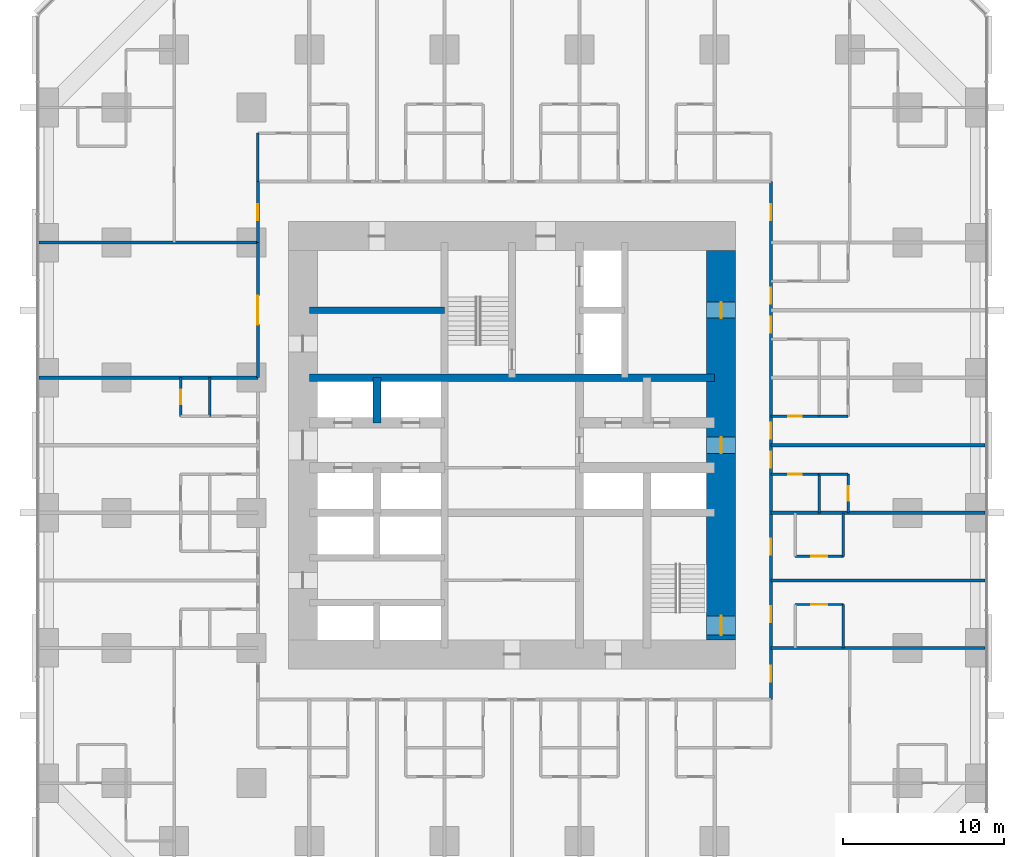
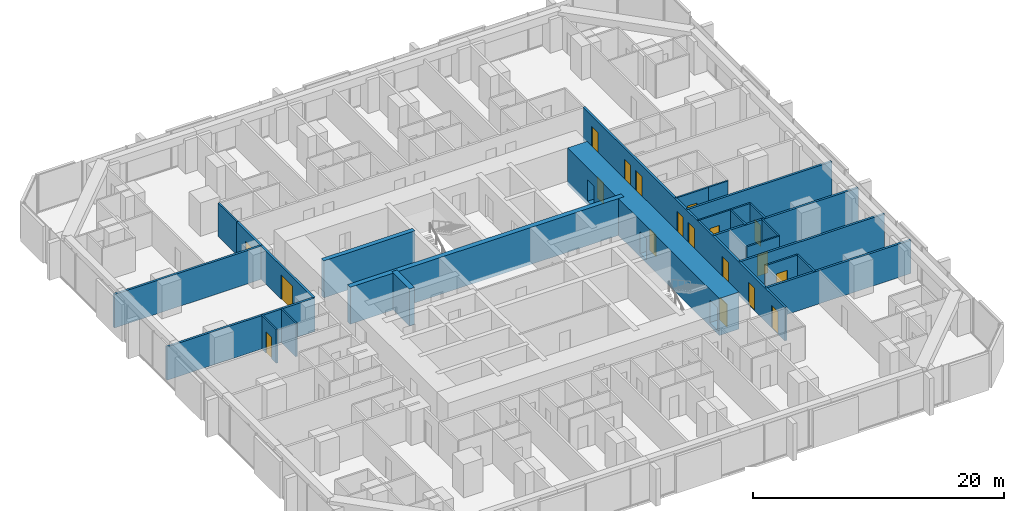
# One storey, part 14 of 18: 26 walls, 19 doors, 19 openings.
"""IFC4 building model written with IfcOpenShell, lengths in metres."""

from ifc_helpers import new_model, si_unit, direction, frame, frame_2d, origin, place, context, subcontext, project, spatial, rectangle, extrude, material, layer, layer_set, type_object, element, fill, save


model = new_model("IFC4")

# Units and contexts
model_context = context("Model", 3, precision=1e-05, world=origin(), true_north=direction((0.0, 1.0)))
body_context = subcontext(model_context, "Body", "Model", "MODEL_VIEW")
ifc_project = project(units=[si_unit("LENGTHUNIT", "METRE"), si_unit("AREAUNIT", "SQUARE_METRE"), si_unit("VOLUMEUNIT", "CUBIC_METRE"), si_unit("PLANEANGLEUNIT", "RADIAN"), si_unit("MASSUNIT", "GRAM", prefix="KILO")], contexts=[model_context])

# Site, building, storey
site_placement = place(None, origin())
site = spatial("IfcSite", under=ifc_project, at=site_placement, CompositionType="ELEMENT")
building_placement = place(site_placement, origin())
building = spatial("IfcBuilding", under=site, at=building_placement, Name="Dunama Terrace Hotel", CompositionType="ELEMENT")
storey_placement = place(building_placement, frame((0.0, 0.0, 30.60009765625)))
storey = spatial("IfcBuildingStorey", under=building, at=storey_placement, Name="L06", CompositionType="ELEMENT", Elevation=30.60009765625)

# Walls
ifc_material_1 = material(Name="Gypsum board partition", Category="masonry")
ifc_layer_1 = layer(ifc_material_1, 0.14990234375)
ifc_layer_set_1 = layer_set([ifc_layer_1], Name="Bathroom partition 150")
wall_type_1 = type_object("IfcWallType", Name="Bathroom partition 150", PredefinedType="PARTITIONING", material=ifc_layer_set_1)
wall_1_placement = place(storey_placement, frame((13.60009765625, 45.800048828125, 0.0), z_axis=(0.0, 0.0, 1.0), x_axis=(0.0, 1.0, 0.0)))
element("IfcWall", 1, at=wall_1_placement, inside=storey, type_object=wall_type_1, Name="Bathroom partition 150 L06", PredefinedType="PARTITIONING", context=body_context, shape_type="SweptSolid", body=[
    extrude(rectangle(XDim=3.0, YDim=0.14990234375, at=frame_2d((1.5, 0.0))), origin(), (0.0, 0.0, 1.0), 3.25),
])
for number, where, z_axis, x_axis, name in (
    (2, (50.0, 16.800048828125, 0.0), (0.0, 0.0, 1.0), (0.0, 1.0, 0.0), "Bathroom partition 150 L06"),
    (3, (50.0, 22.5, 0.0), (0.0, 0.0, 1.0), (0.0, 1.0, 0.0), "Bathroom partition 150 L06"),
):
    element("IfcWall", number, at=place(storey_placement, frame(where, z_axis=z_axis, x_axis=x_axis)), inside=storey, type_object=wall_type_1, Name=name, PredefinedType="PARTITIONING", context=body_context, shape_type="SweptSolid", body=[
        extrude(rectangle(XDim=2.699951171875, YDim=0.14990234375, at=frame_2d((1.35009765625, 0.0))), origin(), (0.0, 0.0, 1.0), 3.25),
    ])

# Wall, opening, door
wall_2_placement = place(storey_placement, frame((47.0, 19.5, 0.0), z_axis=(0.0, 0.0, 1.0), x_axis=(1.0, 0.0, 0.0)))
wall_2 = element("IfcWall", 4, at=wall_2_placement, inside=storey, type_object=wall_type_1, Name="Bathroom partition 150 L06", PredefinedType="PARTITIONING", context=body_context, shape_type="SweptSolid", body=[
    extrude(rectangle(XDim=3.0, YDim=0.14990234375, at=frame_2d((1.5, 0.0))), origin(), (0.0, 0.0, 1.0), 3.25),
])
opening_1_placement = place(wall_2_placement, frame((1.0, 0.0, 0.0)))
opening_1 = element("IfcOpeningElement", 5, at=opening_1_placement, cuts=wall_2, Name="Opening L06-028", PredefinedType="OPENING", context=body_context, shape_type="SweptSolid", body=[
    extrude(rectangle(XDim=1.0, YDim=2.10009765625, at=frame_2d((0.5, 1.050048828125))), frame((0.0, 0.0849609375, 0.0), z_axis=(0.0, -1.0, 0.0), x_axis=(1.0, 0.0, 0.0)), (0.0, 0.0, 1.0), 0.169921875),
])
ifc_material_2 = material(Name="Timber door with steel frame", Category="steel")
door_type_1 = type_object("IfcDoorType", Name="Accessible room door 1000", OperationType="SINGLE_SWING_LEFT", PredefinedType="DOOR", material=ifc_material_2)
door_1_placement = place(opening_1_placement, frame((1.0, 0.0, 0.0), z_axis=(0.0, 0.0, 1.0), x_axis=(-1.0, 0.0, 0.0)))
door_1 = element("IfcDoor", 6, at=door_1_placement, inside=storey, type_object=door_type_1, Name="Door to accessible en-suite bathroom L06-028, type D17", OperationType="SINGLE_SWING_RIGHT", OverallHeight=2.10009765625, OverallWidth=1.0, PredefinedType="DOOR", context=body_context, shape_type="SweptSolid", body=[
    extrude(rectangle(XDim=1.0, YDim=2.10009765625, at=frame_2d((0.5, 1.050048828125))), frame((0.0, 0.025146484375, 0.0), z_axis=(0.0, -1.0, 0.0), x_axis=(1.0, 0.0, 0.0)), (0.0, 0.0, 1.0), 0.050048828125),
])
fill(opening_1, door_1)

wall_3_placement = place(storey_placement, frame((47.0, 22.5, 0.0), z_axis=(0.0, 0.0, 1.0), x_axis=(1.0, 0.0, 0.0)))
wall_3 = element("IfcWall", 7, at=wall_3_placement, inside=storey, type_object=wall_type_1, Name="Bathroom partition 150 L06", PredefinedType="PARTITIONING", context=body_context, shape_type="SweptSolid", body=[
    extrude(rectangle(XDim=3.0, YDim=0.14990234375, at=frame_2d((1.5, 0.0))), origin(), (0.0, 0.0, 1.0), 3.25),
])
opening_2_placement = place(wall_3_placement, frame((1.0, 0.0, 0.0)))
opening_2 = element("IfcOpeningElement", 8, at=opening_2_placement, cuts=wall_3, Name="Opening L06-030", PredefinedType="OPENING", context=body_context, shape_type="SweptSolid", body=[
    extrude(rectangle(XDim=1.0, YDim=2.10009765625, at=frame_2d((0.5, 1.050048828125))), frame((0.0, 0.0849609375, 0.0), z_axis=(0.0, -1.0, 0.0), x_axis=(1.0, 0.0, 0.0)), (0.0, 0.0, 1.0), 0.169921875),
])
door_2_placement = place(opening_2_placement, origin())
door_2 = element("IfcDoor", 9, at=door_2_placement, inside=storey, type_object=door_type_1, Name="Door to accessible en-suite bathroom L06-030, type D17", OperationType="SINGLE_SWING_LEFT", OverallHeight=2.10009765625, OverallWidth=1.0, PredefinedType="DOOR", context=body_context, shape_type="SweptSolid", body=[
    extrude(rectangle(XDim=1.0, YDim=2.10009765625, at=frame_2d((0.5, 1.050048828125))), frame((0.0, 0.02490234375, 0.0), z_axis=(0.0, -1.0, 0.0), x_axis=(1.0, 0.0, 0.0)), (0.0, 0.0, 1.0), 0.050048828125),
])
fill(opening_2, door_2)

wall_4_placement = place(storey_placement, frame((45.5, 27.60009765625, 0.0), z_axis=(0.0, 0.0, 1.0), x_axis=(1.0, 0.0, 0.0)))
wall_4 = element("IfcWall", 10, at=wall_4_placement, inside=storey, type_object=wall_type_1, Name="Bathroom partition 150 L06", PredefinedType="PARTITIONING", context=body_context, shape_type="SweptSolid", body=[
    extrude(rectangle(XDim=3.0, YDim=0.14990234375, at=frame_2d((1.5, 0.0))), origin(), (0.0, 0.0, 1.0), 3.25),
])
opening_3_placement = place(wall_4_placement, frame((1.074951171875, 0.0, 0.0)))
opening_3 = element("IfcOpeningElement", 11, at=opening_3_placement, cuts=wall_4, Name="Opening L06-032", PredefinedType="OPENING", context=body_context, shape_type="SweptSolid", body=[
    extrude(rectangle(XDim=0.85009765625, YDim=2.10009765625, at=frame_2d((0.425048828125, 1.050048828125))), frame((0.0, 0.0849609375, 0.0), z_axis=(0.0, -1.0, 0.0), x_axis=(1.0, 0.0, 0.0)), (0.0, 0.0, 1.0), 0.169921875),
])
ifc_material_3 = material(Name="Timber door with steel frame", Category="steel")
door_type_2 = type_object("IfcDoorType", Name="Bathroom door 850", OperationType="SINGLE_SWING_LEFT", PredefinedType="DOOR", material=ifc_material_3)
door_3_placement = place(opening_3_placement, frame((0.85009765625, 0.0, 0.0), z_axis=(0.0, 0.0, 1.0), x_axis=(-1.0, 0.0, 0.0)))
door_3 = element("IfcDoor", 12, at=door_3_placement, inside=storey, type_object=door_type_2, Name="Door to en-suite bathroom L06-032, type D2", OperationType="SINGLE_SWING_RIGHT", OverallHeight=2.10009765625, OverallWidth=0.85009765625, PredefinedType="DOOR", context=body_context, shape_type="SweptSolid", body=[
    extrude(rectangle(XDim=0.85009765625, YDim=2.10009765625, at=frame_2d((0.425048828125, 1.050048828125))), frame((0.0, 0.025146484375, 0.0), z_axis=(0.0, -1.0, 0.0), x_axis=(1.0, 0.0, 0.0)), (0.0, 0.0, 1.0), 0.050048828125),
])
fill(opening_3, door_3)

wall_5_placement = place(storey_placement, frame((45.5, 31.199951171875, 0.0), z_axis=(0.0, 0.0, 1.0), x_axis=(1.0, 0.0, 0.0)))
wall_5 = element("IfcWall", 13, at=wall_5_placement, inside=storey, type_object=wall_type_1, Name="Bathroom partition 150 L06", PredefinedType="PARTITIONING", context=body_context, shape_type="SweptSolid", body=[
    extrude(rectangle(XDim=3.0, YDim=0.14990234375, at=frame_2d((1.5, 0.0))), origin(), (0.0, 0.0, 1.0), 3.25),
])
opening_4_placement = place(wall_5_placement, frame((1.074951171875, 0.0, 0.0)))
opening_4 = element("IfcOpeningElement", 14, at=opening_4_placement, cuts=wall_5, Name="Opening L06-035", PredefinedType="OPENING", context=body_context, shape_type="SweptSolid", body=[
    extrude(rectangle(XDim=0.85009765625, YDim=2.10009765625, at=frame_2d((0.425048828125, 1.050048828125))), frame((0.0, 0.0849609375, 0.0), z_axis=(0.0, -1.0, 0.0), x_axis=(1.0, 0.0, 0.0)), (0.0, 0.0, 1.0), 0.169921875),
])
door_4_placement = place(opening_4_placement, origin())
door_4 = element("IfcDoor", 15, at=door_4_placement, inside=storey, type_object=door_type_2, Name="Door to en-suite bathroom L06-035, type D2", OperationType="SINGLE_SWING_LEFT", OverallHeight=2.10009765625, OverallWidth=0.85009765625, PredefinedType="DOOR", context=body_context, shape_type="SweptSolid", body=[
    extrude(rectangle(XDim=0.85009765625, YDim=2.10009765625, at=frame_2d((0.425048828125, 1.050048828125))), frame((0.0, 0.02490234375, 0.0), z_axis=(0.0, -1.0, 0.0), x_axis=(1.0, 0.0, 0.0)), (0.0, 0.0, 1.0), 0.050048828125),
])
fill(opening_4, door_4)

# Walls
ifc_material_4 = material(Name="Concrete C50/60", Category="concrete")
ifc_layer_2 = layer(ifc_material_4, 0.39990234375)
ifc_layer_set_2 = layer_set([ifc_layer_2], Name="Core inner wall 400")
wall_type_2 = type_object("IfcWallType", Name="Core inner wall 400", PredefinedType="SHEAR", material=ifc_layer_set_2)
wall_6_placement = place(storey_placement, frame((16.800048828125, 37.800048828125, -0.35009765625), z_axis=(0.0, 0.0, 1.0), x_axis=(1.0, 0.0, 0.0)))
element("IfcWall", 16, at=wall_6_placement, inside=storey, type_object=wall_type_2, Name="Core inner wall 400 L06", PredefinedType="SHEAR", context=body_context, shape_type="SweptSolid", body=[
    extrude(rectangle(XDim=8.39990234375, YDim=0.39990234375, at=frame_2d((4.199951171875, 0.0))), origin(), (0.0, 0.0, 1.0), 3.60009765625),
])
ifc_material_5 = material(Name="Concrete C50/60", Category="concrete")
ifc_layer_3 = layer(ifc_material_5, 0.449951171875)
ifc_layer_set_3 = layer_set([ifc_layer_3], Name="Core inner wall 450")
wall_type_3 = type_object("IfcWallType", Name="Core inner wall 450", PredefinedType="SHEAR", material=ifc_layer_set_3)
wall_7_placement = place(storey_placement, frame((16.800048828125, 33.60009765625, -0.35009765625), z_axis=(0.0, 0.0, 1.0), x_axis=(1.0, 0.0, 0.0)))
element("IfcWall", 17, at=wall_7_placement, inside=storey, type_object=wall_type_3, Name="Core inner wall 450 L06", PredefinedType="SHEAR", context=body_context, shape_type="SweptSolid", body=[
    extrude(rectangle(XDim=25.199951171875, YDim=0.449951171875, at=frame_2d((12.60009765625, 0.0))), origin(), (0.0, 0.0, 1.0), 3.60009765625),
])
ifc_material_6 = material(Name="Concrete C50/60", Category="concrete")
ifc_layer_4 = layer(ifc_material_6, 0.5)
ifc_layer_set_4 = layer_set([ifc_layer_4], Name="Core inner wall 500")
wall_type_4 = type_object("IfcWallType", Name="Core inner wall 500", PredefinedType="SHEAR", material=ifc_layer_set_4)
wall_8_placement = place(storey_placement, frame((21.0, 30.800048828125, -0.35009765625), z_axis=(0.0, 0.0, 1.0), x_axis=(0.0, 1.0, 0.0)))
element("IfcWall", 18, at=wall_8_placement, inside=storey, type_object=wall_type_4, Name="Core inner wall 500 L06", PredefinedType="SHEAR", context=body_context, shape_type="SweptSolid", body=[
    extrude(rectangle(XDim=2.800048828125, YDim=0.5, at=frame_2d((1.39990234375, 0.0))), origin(), (0.0, 0.0, 1.0), 3.60009765625),
])

# Wall, openings, doors
ifc_material_7 = material(Name="Concrete C60/75", Category="concrete")
ifc_layer_5 = layer(ifc_material_7, 1.800048828125)
ifc_layer_set_5 = layer_set([ifc_layer_5], Name="Core wall 1800")
wall_type_5 = type_object("IfcWallType", Name="Core wall 1800", PredefinedType="SHEAR", material=ifc_layer_set_5)
wall_9_placement = place(storey_placement, frame((42.39990234375, 17.300048828125, -0.35009765625), z_axis=(0.0, 0.0, 1.0), x_axis=(0.0, 1.0, 0.0)))
wall_9 = element("IfcWall", 19, at=wall_9_placement, inside=storey, type_object=wall_type_5, Name="Core wall east L06", PredefinedType="SHEAR", context=body_context, shape_type="SweptSolid", body=[
    extrude(rectangle(XDim=24.199951171875, YDim=1.800048828125, at=frame_2d((12.10009765625, 0.0))), origin(), (0.0, 0.0, 1.0), 3.60009765625),
])
opening_5_placement = place(wall_9_placement, frame((0.300048828125, 0.0, 0.35009765625)))
opening_5 = element("IfcOpeningElement", 20, at=opening_5_placement, cuts=wall_9, Name="Opening L06-002", PredefinedType="OPENING", context=body_context, shape_type="SweptSolid", body=[
    extrude(rectangle(XDim=1.199951171875, YDim=2.199951171875, at=frame_2d((0.60009765625, 1.10009765625))), frame((0.0, 0.909912109375, 0.0), z_axis=(0.0, -1.0, 0.0), x_axis=(1.0, 0.0, 0.0)), (0.0, 0.0, 1.0), 1.820068359375),
])
opening_6_placement = place(wall_9_placement, frame((11.60009765625, 0.0, 0.35009765625)))
opening_6 = element("IfcOpeningElement", 21, at=opening_6_placement, cuts=wall_9, Name="Opening L06-106", PredefinedType="OPENING", context=body_context, shape_type="SweptSolid", body=[
    extrude(rectangle(XDim=1.0, YDim=2.10009765625, at=frame_2d((0.5, 1.050048828125))), frame((0.0, 0.909912109375, 0.0), z_axis=(0.0, -1.0, 0.0), x_axis=(1.0, 0.0, 0.0)), (0.0, 0.0, 1.0), 1.820068359375),
])
opening_7_placement = place(wall_9_placement, frame((20.0, 0.0, 0.35009765625)))
opening_7 = element("IfcOpeningElement", 22, at=opening_7_placement, cuts=wall_9, Name="Opening L06-108", PredefinedType="OPENING", context=body_context, shape_type="SweptSolid", body=[
    extrude(rectangle(XDim=1.0, YDim=2.10009765625, at=frame_2d((0.5, 1.050048828125))), frame((0.0, 0.909912109375, 0.0), z_axis=(0.0, -1.0, 0.0), x_axis=(1.0, 0.0, 0.0)), (0.0, 0.0, 1.0), 1.820068359375),
])
ifc_material_8 = material(Name="Timber door with steel frame", Category="steel")
door_type_3 = type_object("IfcDoorType", Name="Service door 1000", OperationType="SINGLE_SWING_LEFT", PredefinedType="DOOR", material=ifc_material_8)
door_5_placement = place(opening_6_placement, origin())
door_5 = element("IfcDoor", 23, at=door_5_placement, inside=storey, type_object=door_type_3, Name="Door to service lobby L06-106, type D7", OperationType="SINGLE_SWING_LEFT", OverallHeight=2.10009765625, OverallWidth=1.0, PredefinedType="DOOR", context=body_context, shape_type="SweptSolid", body=[
    extrude(rectangle(XDim=1.0, YDim=2.10009765625, at=frame_2d((0.5, 1.050048828125))), frame((0.0, 0.02490234375, 0.0), z_axis=(0.0, -1.0, 0.0), x_axis=(1.0, 0.0, 0.0)), (0.0, 0.0, 1.0), 0.050048828125),
])
fill(opening_6, door_5)
door_6_placement = place(opening_7_placement, origin())
door_6 = element("IfcDoor", 24, at=door_6_placement, inside=storey, type_object=door_type_3, Name="Door to ice and vending room L06-108, type D7", OperationType="SINGLE_SWING_LEFT", OverallHeight=2.10009765625, OverallWidth=1.0, PredefinedType="DOOR", context=body_context, shape_type="SweptSolid", body=[
    extrude(rectangle(XDim=1.0, YDim=2.10009765625, at=frame_2d((0.5, 1.050048828125))), frame((0.0, 0.02490234375, 0.0), z_axis=(0.0, -1.0, 0.0), x_axis=(1.0, 0.0, 0.0)), (0.0, 0.0, 1.0), 0.050048828125),
])
fill(opening_7, door_6)
ifc_material_9 = material(Name="Timber door with steel frame", Category="steel")
door_type_4 = type_object("IfcDoorType", Name="Stair door 1200", OperationType="SINGLE_SWING_LEFT", PredefinedType="DOOR", material=ifc_material_9)
door_7_placement = place(opening_5_placement, origin())
door_7 = element("IfcDoor", 25, at=door_7_placement, inside=storey, type_object=door_type_4, Name="Stair door ST2 L06-002, type D5", OperationType="SINGLE_SWING_LEFT", OverallHeight=2.199951171875, OverallWidth=1.199951171875, PredefinedType="DOOR", context=body_context, shape_type="SweptSolid", body=[
    extrude(rectangle(XDim=1.199951171875, YDim=2.199951171875, at=frame_2d((0.60009765625, 1.10009765625))), frame((0.0, 0.02490234375, 0.0), z_axis=(0.0, -1.0, 0.0), x_axis=(1.0, 0.0, 0.0)), (0.0, 0.0, 1.0), 0.050048828125),
])
fill(opening_5, door_7)

# Wall, opening, door
ifc_material_10 = material(Name="Concrete blockwork", Category="masonry")
ifc_layer_6 = layer(ifc_material_10, 0.199951171875)
ifc_layer_set_6 = layer_set([ifc_layer_6], Name="Corridor partition 200")
wall_type_6 = type_object("IfcWallType", Name="Corridor partition 200", PredefinedType="PARTITIONING", material=ifc_layer_set_6)
wall_10_placement = place(storey_placement, frame((13.60009765625, 42.0, 0.0), z_axis=(0.0, 0.0, 1.0), x_axis=(0.0, 1.0, 0.0)))
wall_10 = element("IfcWall", 26, at=wall_10_placement, inside=storey, type_object=wall_type_6, Name="Corridor partition 200 L06", PredefinedType="PARTITIONING", context=body_context, shape_type="SweptSolid", body=[
    extrude(rectangle(XDim=3.800048828125, YDim=0.199951171875, at=frame_2d((1.89990234375, 0.0))), origin(), (0.0, 0.0, 1.0), 3.25),
])
opening_8_placement = place(wall_10_placement, frame((1.39990234375, 0.0, 0.0)))
opening_8 = element("IfcOpeningElement", 27, at=opening_8_placement, cuts=wall_10, Name="Opening L06-092", PredefinedType="OPENING", context=body_context, shape_type="SweptSolid", body=[
    extrude(rectangle(XDim=1.0, YDim=2.199951171875, at=frame_2d((0.5, 1.10009765625))), frame((0.0, 0.10986328125, 0.0), z_axis=(0.0, -1.0, 0.0), x_axis=(1.0, 0.0, 0.0)), (0.0, 0.0, 1.0), 0.219970703125),
])
ifc_material_11 = material(Name="Timber door with steel frame", Category="steel")
door_type_5 = type_object("IfcDoorType", Name="Guest room door 1000", OperationType="SINGLE_SWING_LEFT", PredefinedType="DOOR", material=ifc_material_11)
door_8_placement = place(opening_8_placement, origin())
door_8 = element("IfcDoor", 28, at=door_8_placement, inside=storey, type_object=door_type_5, Name="Door to corner suite living room L06-092, type D1", OperationType="SINGLE_SWING_LEFT", OverallHeight=2.199951171875, OverallWidth=1.0, PredefinedType="DOOR", context=body_context, shape_type="SweptSolid", body=[
    extrude(rectangle(XDim=1.0, YDim=2.199951171875, at=frame_2d((0.5, 1.10009765625))), frame((0.0, 0.02490234375, 0.0), z_axis=(0.0, -1.0, 0.0), x_axis=(1.0, 0.0, 0.0)), (0.0, 0.0, 1.0), 0.050048828125),
])
fill(opening_8, door_8)

wall_11_placement = place(storey_placement, frame((13.60009765625, 42.0, 0.0), z_axis=(0.0, 0.0, 1.0), x_axis=(0.0, -1.0, 0.0)))
wall_11 = element("IfcWall", 29, at=wall_11_placement, inside=storey, type_object=wall_type_6, Name="Corridor partition 200 L06", PredefinedType="PARTITIONING", context=body_context, shape_type="SweptSolid", body=[
    extrude(rectangle(XDim=8.39990234375, YDim=0.199951171875, at=frame_2d((4.199951171875, 0.0))), origin(), (0.0, 0.0, 1.0), 3.25),
])
opening_9_placement = place(wall_11_placement, frame((3.300048828125, 0.0, 0.0)))
opening_9 = element("IfcOpeningElement", 30, at=opening_9_placement, cuts=wall_11, Name="Opening L06-073", PredefinedType="OPENING", context=body_context, shape_type="SweptSolid", body=[
    extrude(rectangle(XDim=1.800048828125, YDim=2.39990234375, at=frame_2d((0.89990234375, 1.199951171875))), frame((0.0, 0.10986328125, 0.0), z_axis=(0.0, -1.0, 0.0), x_axis=(1.0, 0.0, 0.0)), (0.0, 0.0, 1.0), 0.219970703125),
])
ifc_material_12 = material(Name="Aluminium-framed glazed door", Category="aluminium")
door_type_6 = type_object("IfcDoorType", Name="Glazed double door 1800", OperationType="DOUBLE_DOOR_DOUBLE_SWING", PredefinedType="DOOR", material=ifc_material_12)
door_9_placement = place(opening_9_placement, origin())
door_9 = element("IfcDoor", 31, at=door_9_placement, inside=storey, type_object=door_type_6, Name="Door to guest lounge L06-073, type D8", OperationType="DOUBLE_DOOR_DOUBLE_SWING", OverallHeight=2.39990234375, OverallWidth=1.800048828125, PredefinedType="DOOR", context=body_context, shape_type="SweptSolid", body=[
    extrude(rectangle(XDim=1.800048828125, YDim=2.39990234375, at=frame_2d((0.89990234375, 1.199951171875))), frame((0.0, 0.02490234375, 0.0), z_axis=(0.0, -1.0, 0.0), x_axis=(1.0, 0.0, 0.0)), (0.0, 0.0, 1.0), 0.050048828125),
])
fill(opening_9, door_9)

# Wall, openings, doors
wall_12_placement = place(storey_placement, frame((45.5, 45.800048828125, 0.0), z_axis=(0.0, 0.0, 1.0), x_axis=(0.0, -1.0, 0.0)))
wall_12 = element("IfcWall", 32, at=wall_12_placement, inside=storey, type_object=wall_type_6, Name="Corridor partition 200 L06", PredefinedType="PARTITIONING", context=body_context, shape_type="SweptSolid", body=[
    extrude(rectangle(XDim=32.199951171875, YDim=0.199951171875, at=frame_2d((16.10009765625, 0.0))), origin(), (0.0, 0.0, 1.0), 3.25),
])
opening_10_placement = place(wall_12_placement, frame((26.39990234375, 0.0, 0.0)))
opening_10 = element("IfcOpeningElement", 33, at=opening_10_placement, cuts=wall_12, Name="Opening L06-027", PredefinedType="OPENING", context=body_context, shape_type="SweptSolid", body=[
    extrude(rectangle(XDim=1.0, YDim=2.199951171875, at=frame_2d((0.5, 1.10009765625))), frame((0.0, 0.10986328125, 0.0), z_axis=(0.0, -1.0, 0.0), x_axis=(1.0, 0.0, 0.0)), (0.0, 0.0, 1.0), 0.219970703125),
])
opening_11_placement = place(wall_12_placement, frame((22.199951171875, 0.0, 0.0)))
opening_11 = element("IfcOpeningElement", 34, at=opening_11_placement, cuts=wall_12, Name="Opening L06-029", PredefinedType="OPENING", context=body_context, shape_type="SweptSolid", body=[
    extrude(rectangle(XDim=1.0, YDim=2.199951171875, at=frame_2d((0.5, 1.10009765625))), frame((0.0, 0.10986328125, 0.0), z_axis=(0.0, -1.0, 0.0), x_axis=(1.0, 0.0, 0.0)), (0.0, 0.0, 1.0), 0.219970703125),
])
opening_12_placement = place(wall_12_placement, frame((16.800048828125, 0.0, 0.0)))
opening_12 = element("IfcOpeningElement", 35, at=opening_12_placement, cuts=wall_12, Name="Opening L06-031", PredefinedType="OPENING", context=body_context, shape_type="SweptSolid", body=[
    extrude(rectangle(XDim=1.0, YDim=2.199951171875, at=frame_2d((0.5, 1.10009765625))), frame((0.0, 0.10986328125, 0.0), z_axis=(0.0, -1.0, 0.0), x_axis=(1.0, 0.0, 0.0)), (0.0, 0.0, 1.0), 0.219970703125),
])
opening_13_placement = place(wall_12_placement, frame((15.0, 0.0, 0.0)))
opening_13 = element("IfcOpeningElement", 36, at=opening_13_placement, cuts=wall_12, Name="Opening L06-034", PredefinedType="OPENING", context=body_context, shape_type="SweptSolid", body=[
    extrude(rectangle(XDim=1.0, YDim=2.199951171875, at=frame_2d((0.5, 1.10009765625))), frame((0.0, 0.10986328125, 0.0), z_axis=(0.0, -1.0, 0.0), x_axis=(1.0, 0.0, 0.0)), (0.0, 0.0, 1.0), 0.219970703125),
])
opening_14_placement = place(wall_12_placement, frame((8.39990234375, 0.0, 0.0)))
opening_14 = element("IfcOpeningElement", 37, at=opening_14_placement, cuts=wall_12, Name="Opening L06-037", PredefinedType="OPENING", context=body_context, shape_type="SweptSolid", body=[
    extrude(rectangle(XDim=1.0, YDim=2.199951171875, at=frame_2d((0.5, 1.10009765625))), frame((0.0, 0.10986328125, 0.0), z_axis=(0.0, -1.0, 0.0), x_axis=(1.0, 0.0, 0.0)), (0.0, 0.0, 1.0), 0.219970703125),
])
opening_15_placement = place(wall_12_placement, frame((6.60009765625, 0.0, 0.0)))
opening_15 = element("IfcOpeningElement", 38, at=opening_15_placement, cuts=wall_12, Name="Opening L06-040", PredefinedType="OPENING", context=body_context, shape_type="SweptSolid", body=[
    extrude(rectangle(XDim=1.0, YDim=2.199951171875, at=frame_2d((0.5, 1.10009765625))), frame((0.0, 0.10986328125, 0.0), z_axis=(0.0, -1.0, 0.0), x_axis=(1.0, 0.0, 0.0)), (0.0, 0.0, 1.0), 0.219970703125),
])
opening_16_placement = place(wall_12_placement, frame((30.10009765625, 0.0, 0.0)))
opening_16 = element("IfcOpeningElement", 39, at=opening_16_placement, cuts=wall_12, Name="Opening L06-080", PredefinedType="OPENING", context=body_context, shape_type="SweptSolid", body=[
    extrude(rectangle(XDim=1.0, YDim=2.199951171875, at=frame_2d((0.5, 1.10009765625))), frame((0.0, 0.10986328125, 0.0), z_axis=(0.0, -1.0, 0.0), x_axis=(1.0, 0.0, 0.0)), (0.0, 0.0, 1.0), 0.219970703125),
])
opening_17_placement = place(wall_12_placement, frame((1.39990234375, 0.0, 0.0)))
opening_17 = element("IfcOpeningElement", 40, at=opening_17_placement, cuts=wall_12, Name="Opening L06-086", PredefinedType="OPENING", context=body_context, shape_type="SweptSolid", body=[
    extrude(rectangle(XDim=1.0, YDim=2.199951171875, at=frame_2d((0.5, 1.10009765625))), frame((0.0, 0.10986328125, 0.0), z_axis=(0.0, -1.0, 0.0), x_axis=(1.0, 0.0, 0.0)), (0.0, 0.0, 1.0), 0.219970703125),
])
door_10_placement = place(opening_10_placement, origin())
door_10 = element("IfcDoor", 41, at=door_10_placement, inside=storey, type_object=door_type_5, Name="Door to accessible deluxe room L06-027, type D1", OperationType="SINGLE_SWING_LEFT", OverallHeight=2.199951171875, OverallWidth=1.0, PredefinedType="DOOR", context=body_context, shape_type="SweptSolid", body=[
    extrude(rectangle(XDim=1.0, YDim=2.199951171875, at=frame_2d((0.5, 1.10009765625))), frame((0.0, 0.02490234375, 0.0), z_axis=(0.0, -1.0, 0.0), x_axis=(1.0, 0.0, 0.0)), (0.0, 0.0, 1.0), 0.050048828125),
])
fill(opening_10, door_10)
door_11_placement = place(opening_11_placement, origin())
door_11 = element("IfcDoor", 42, at=door_11_placement, inside=storey, type_object=door_type_5, Name="Door to accessible deluxe room L06-029, type D1", OperationType="SINGLE_SWING_LEFT", OverallHeight=2.199951171875, OverallWidth=1.0, PredefinedType="DOOR", context=body_context, shape_type="SweptSolid", body=[
    extrude(rectangle(XDim=1.0, YDim=2.199951171875, at=frame_2d((0.5, 1.10009765625))), frame((0.0, 0.02490234375, 0.0), z_axis=(0.0, -1.0, 0.0), x_axis=(1.0, 0.0, 0.0)), (0.0, 0.0, 1.0), 0.050048828125),
])
fill(opening_11, door_11)
door_12_placement = place(opening_12_placement, origin())
door_12 = element("IfcDoor", 43, at=door_12_placement, inside=storey, type_object=door_type_5, Name="Door to deluxe room L06-031, type D1", OperationType="SINGLE_SWING_LEFT", OverallHeight=2.199951171875, OverallWidth=1.0, PredefinedType="DOOR", context=body_context, shape_type="SweptSolid", body=[
    extrude(rectangle(XDim=1.0, YDim=2.199951171875, at=frame_2d((0.5, 1.10009765625))), frame((0.0, 0.02490234375, 0.0), z_axis=(0.0, -1.0, 0.0), x_axis=(1.0, 0.0, 0.0)), (0.0, 0.0, 1.0), 0.050048828125),
])
fill(opening_12, door_12)
door_13_placement = place(opening_13_placement, origin())
door_13 = element("IfcDoor", 44, at=door_13_placement, inside=storey, type_object=door_type_5, Name="Door to deluxe room L06-034, type D1", OperationType="SINGLE_SWING_RIGHT", OverallHeight=2.199951171875, OverallWidth=1.0, PredefinedType="DOOR", context=body_context, shape_type="SweptSolid", body=[
    extrude(rectangle(XDim=1.0, YDim=2.199951171875, at=frame_2d((0.5, 1.10009765625))), frame((0.0, 0.02490234375, 0.0), z_axis=(0.0, -1.0, 0.0), x_axis=(1.0, 0.0, 0.0)), (0.0, 0.0, 1.0), 0.050048828125),
])
fill(opening_13, door_13)
door_14_placement = place(opening_14_placement, origin())
door_14 = element("IfcDoor", 45, at=door_14_placement, inside=storey, type_object=door_type_5, Name="Door to deluxe room L06-037, type D1", OperationType="SINGLE_SWING_LEFT", OverallHeight=2.199951171875, OverallWidth=1.0, PredefinedType="DOOR", context=body_context, shape_type="SweptSolid", body=[
    extrude(rectangle(XDim=1.0, YDim=2.199951171875, at=frame_2d((0.5, 1.10009765625))), frame((0.0, 0.02490234375, 0.0), z_axis=(0.0, -1.0, 0.0), x_axis=(1.0, 0.0, 0.0)), (0.0, 0.0, 1.0), 0.050048828125),
])
fill(opening_14, door_14)
door_15_placement = place(opening_15_placement, origin())
door_15 = element("IfcDoor", 46, at=door_15_placement, inside=storey, type_object=door_type_5, Name="Door to deluxe room L06-040, type D1", OperationType="SINGLE_SWING_RIGHT", OverallHeight=2.199951171875, OverallWidth=1.0, PredefinedType="DOOR", context=body_context, shape_type="SweptSolid", body=[
    extrude(rectangle(XDim=1.0, YDim=2.199951171875, at=frame_2d((0.5, 1.10009765625))), frame((0.0, 0.02490234375, 0.0), z_axis=(0.0, -1.0, 0.0), x_axis=(1.0, 0.0, 0.0)), (0.0, 0.0, 1.0), 0.050048828125),
])
fill(opening_15, door_15)
door_16_placement = place(opening_16_placement, origin())
door_16 = element("IfcDoor", 47, at=door_16_placement, inside=storey, type_object=door_type_5, Name="Door to corner suite living room L06-080, type D1", OperationType="SINGLE_SWING_RIGHT", OverallHeight=2.199951171875, OverallWidth=1.0, PredefinedType="DOOR", context=body_context, shape_type="SweptSolid", body=[
    extrude(rectangle(XDim=1.0, YDim=2.199951171875, at=frame_2d((0.5, 1.10009765625))), frame((0.0, 0.02490234375, 0.0), z_axis=(0.0, -1.0, 0.0), x_axis=(1.0, 0.0, 0.0)), (0.0, 0.0, 1.0), 0.050048828125),
])
fill(opening_16, door_16)
door_17_placement = place(opening_17_placement, origin())
door_17 = element("IfcDoor", 48, at=door_17_placement, inside=storey, type_object=door_type_5, Name="Door to corner suite living room L06-086, type D1", OperationType="SINGLE_SWING_LEFT", OverallHeight=2.199951171875, OverallWidth=1.0, PredefinedType="DOOR", context=body_context, shape_type="SweptSolid", body=[
    extrude(rectangle(XDim=1.0, YDim=2.199951171875, at=frame_2d((0.5, 1.10009765625))), frame((0.0, 0.02490234375, 0.0), z_axis=(0.0, -1.0, 0.0), x_axis=(1.0, 0.0, 0.0)), (0.0, 0.0, 1.0), 0.050048828125),
])
fill(opening_17, door_17)

# Walls
ifc_material_13 = material(Name="Concrete blockwork", Category="masonry")
ifc_layer_7 = layer(ifc_material_13, 0.199951171875)
ifc_layer_set_7 = layer_set([ifc_layer_7], Name="Party wall 200")
wall_type_7 = type_object("IfcWallType", Name="Party wall 200", PredefinedType="PARTITIONING", material=ifc_layer_set_7)
for number, where, z_axis, x_axis, name in (
    (49, (45.5, 16.800048828125, 0.0), (0.0, 0.0, 1.0), (1.0, 0.0, 0.0), "Party wall 200 L06"),
    (50, (45.5, 21.0, 0.0), (0.0, 0.0, 1.0), (1.0, 0.0, 0.0), "Party wall 200 L06"),
    (51, (45.5, 25.199951171875, 0.0), (0.0, 0.0, 1.0), (1.0, 0.0, 0.0), "Party wall 200 L06"),
    (52, (45.5, 29.39990234375, 0.0), (0.0, 0.0, 1.0), (1.0, 0.0, 0.0), "Party wall 200 L06"),
):
    element("IfcWall", number, at=place(storey_placement, frame(where, z_axis=z_axis, x_axis=x_axis)), inside=storey, type_object=wall_type_7, Name=name, PredefinedType="PARTITIONING", context=body_context, shape_type="SweptSolid", body=[
        extrude(rectangle(XDim=13.30810546875, YDim=0.199951171875, at=frame_2d((6.654052734375, 0.0))), origin(), (0.0, 0.0, 1.0), 3.25),
    ])
for number, where, z_axis, x_axis, name in (
    (53, (-0.008056640625, 33.60009765625, 0.0), (0.0, 0.0, 1.0), (1.0, 0.0, 0.0), "Party wall 200 L06"),
    (54, (-0.008056640625, 42.0, 0.0), (0.0, 0.0, 1.0), (1.0, 0.0, 0.0), "Party wall 200 L06"),
):
    element("IfcWall", number, at=place(storey_placement, frame(where, z_axis=z_axis, x_axis=x_axis)), inside=storey, type_object=wall_type_7, Name=name, PredefinedType="PARTITIONING", context=body_context, shape_type="SweptSolid", body=[
        extrude(rectangle(XDim=13.608154296875, YDim=0.199951171875, at=frame_2d((6.80419921875, 0.0))), origin(), (0.0, 0.0, 1.0), 3.25),
    ])

# Wall, opening, door
ifc_material_14 = material(Name="Gypsum board partition", Category="masonry")
ifc_layer_8 = layer(ifc_material_14, 0.14990234375)
ifc_layer_set_8 = layer_set([ifc_layer_8], Name="Room partition 150")
wall_type_8 = type_object("IfcWallType", Name="Room partition 150", PredefinedType="PARTITIONING", material=ifc_layer_set_8)
wall_13_placement = place(storey_placement, frame((8.800048828125, 31.199951171875, 0.0), z_axis=(0.0, 0.0, 1.0), x_axis=(0.0, 1.0, 0.0)))
wall_13 = element("IfcWall", 55, at=wall_13_placement, inside=storey, type_object=wall_type_8, Name="Room partition 150 L06", PredefinedType="PARTITIONING", context=body_context, shape_type="SweptSolid", body=[
    extrude(rectangle(XDim=2.400146484375, YDim=0.14990234375, at=frame_2d((1.2001953125, 0.0))), origin(), (0.0, 0.0, 1.0), 3.25),
])
opening_18_placement = place(wall_13_placement, frame((0.75, 0.0, 0.0)))
opening_18 = element("IfcOpeningElement", 56, at=opening_18_placement, cuts=wall_13, Name="Opening L06-072", PredefinedType="OPENING", context=body_context, shape_type="SweptSolid", body=[
    extrude(rectangle(XDim=0.89990234375, YDim=2.10009765625, at=frame_2d((0.449951171875, 1.050048828125))), frame((0.0, 0.0849609375, 0.0), z_axis=(0.0, -1.0, 0.0), x_axis=(1.0, 0.0, 0.0)), (0.0, 0.0, 1.0), 0.169921875),
])
ifc_material_15 = material(Name="Timber door with steel frame", Category="steel")
door_type_7 = type_object("IfcDoorType", Name="Suite internal door 900", OperationType="SINGLE_SWING_LEFT", PredefinedType="DOOR", material=ifc_material_15)
door_18_placement = place(opening_18_placement, frame((0.89990234375, 0.0, 0.0), z_axis=(0.0, 0.0, 1.0), x_axis=(-1.0, 0.0, 0.0)))
door_18 = element("IfcDoor", 57, at=door_18_placement, inside=storey, type_object=door_type_7, Name="Door to walk-in wardrobe L06-072, type D16", OperationType="SINGLE_SWING_LEFT", OverallHeight=2.10009765625, OverallWidth=0.89990234375, PredefinedType="DOOR", context=body_context, shape_type="SweptSolid", body=[
    extrude(rectangle(XDim=0.89990234375, YDim=2.10009765625, at=frame_2d((0.449951171875, 1.050048828125))), frame((0.0, 0.025146484375, 0.0), z_axis=(0.0, -1.0, 0.0), x_axis=(1.0, 0.0, 0.0)), (0.0, 0.0, 1.0), 0.050048828125),
])
fill(opening_18, door_18)

# Walls
for number, where, z_axis, x_axis, name in (
    (58, (10.60009765625, 31.199951171875, 0.0), (0.0, 0.0, 1.0), (0.0, 1.0, 0.0), "Room partition 150 L06"),
    (59, (48.5, 25.199951171875, 0.0), (0.0, 0.0, 1.0), (0.0, 1.0, 0.0), "Room partition 150 L06"),
):
    element("IfcWall", number, at=place(storey_placement, frame(where, z_axis=z_axis, x_axis=x_axis)), inside=storey, type_object=wall_type_8, Name=name, PredefinedType="PARTITIONING", context=body_context, shape_type="SweptSolid", body=[
        extrude(rectangle(XDim=2.400146484375, YDim=0.14990234375, at=frame_2d((1.2001953125, 0.0))), origin(), (0.0, 0.0, 1.0), 3.25),
    ])

# Wall, opening, door
wall_14_placement = place(storey_placement, frame((50.300048828125, 25.199951171875, 0.0), z_axis=(0.0, 0.0, 1.0), x_axis=(0.0, 1.0, 0.0)))
wall_14 = element("IfcWall", 60, at=wall_14_placement, inside=storey, type_object=wall_type_8, Name="Room partition 150 L06", PredefinedType="PARTITIONING", context=body_context, shape_type="SweptSolid", body=[
    extrude(rectangle(XDim=2.400146484375, YDim=0.14990234375, at=frame_2d((1.2001953125, 0.0))), origin(), (0.0, 0.0, 1.0), 3.25),
])
opening_19_placement = place(wall_14_placement, frame((0.75, 0.0, 0.0)))
opening_19 = element("IfcOpeningElement", 61, at=opening_19_placement, cuts=wall_14, Name="Opening L06-033", PredefinedType="OPENING", context=body_context, shape_type="SweptSolid", body=[
    extrude(rectangle(XDim=0.89990234375, YDim=2.10009765625, at=frame_2d((0.449951171875, 1.050048828125))), frame((0.0, 0.0849609375, 0.0), z_axis=(0.0, -1.0, 0.0), x_axis=(1.0, 0.0, 0.0)), (0.0, 0.0, 1.0), 0.169921875),
])
door_19_placement = place(opening_19_placement, origin())
door_19 = element("IfcDoor", 62, at=door_19_placement, inside=storey, type_object=door_type_7, Name="Door to walk-in wardrobe L06-033, type D16", OperationType="SINGLE_SWING_LEFT", OverallHeight=2.10009765625, OverallWidth=0.89990234375, PredefinedType="DOOR", context=body_context, shape_type="SweptSolid", body=[
    extrude(rectangle(XDim=0.89990234375, YDim=2.10009765625, at=frame_2d((0.449951171875, 1.050048828125))), frame((0.0, 0.02490234375, 0.0), z_axis=(0.0, -1.0, 0.0), x_axis=(1.0, 0.0, 0.0)), (0.0, 0.0, 1.0), 0.050048828125),
])
fill(opening_19, door_19)

# Walls
for number, where, z_axis, x_axis, name in (
    (63, (48.5, 27.60009765625, 0.0), (0.0, 0.0, 1.0), (1.0, 0.0, 0.0), "Room partition 150 L06"),
    (64, (48.5, 31.199951171875, 0.0), (0.0, 0.0, 1.0), (1.0, 0.0, 0.0), "Room partition 150 L06"),
):
    element("IfcWall", number, at=place(storey_placement, frame(where, z_axis=z_axis, x_axis=x_axis)), inside=storey, type_object=wall_type_8, Name=name, PredefinedType="PARTITIONING", context=body_context, shape_type="SweptSolid", body=[
        extrude(rectangle(XDim=1.800048828125, YDim=0.14990234375, at=frame_2d((0.89990234375, 0.0))), origin(), (0.0, 0.0, 1.0), 3.25),
    ])

save(model, "model.ifc")
